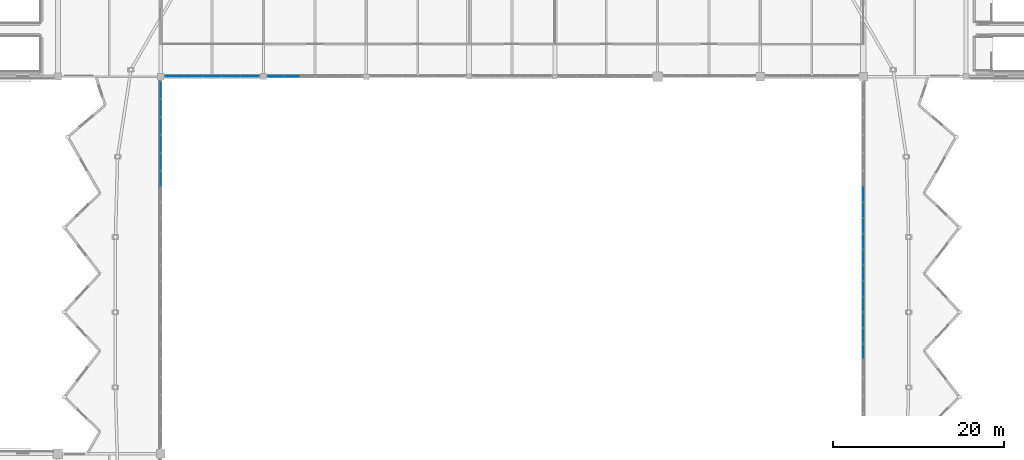
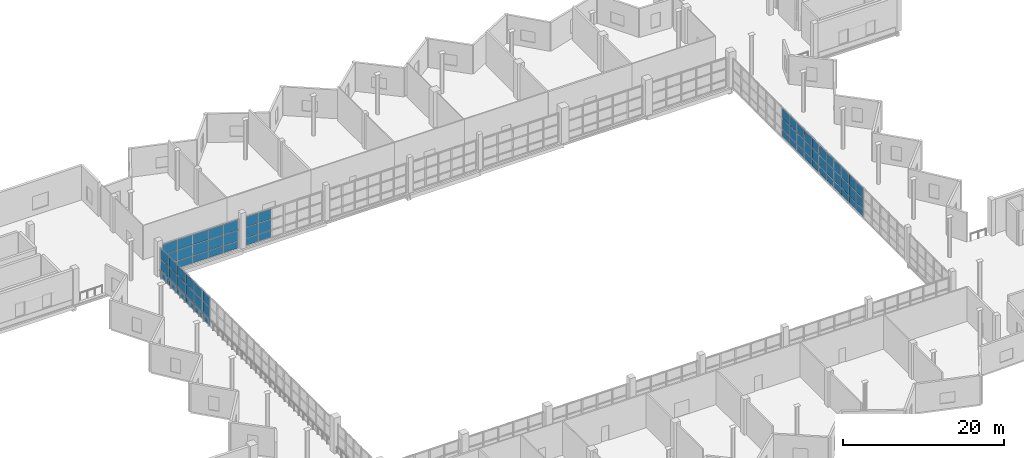
# One storey, part 33 of 49: 72 plates, 6 elements without a shape of their own.
"""IFC4 building model written with IfcOpenShell, lengths in metres."""

from ifc_helpers import new_model, si_unit, direction, frame, origin, origin_2d, place, context, subcontext, project, spatial, rectangle, extrude, material, layer, layer_set, type_object, element, aggregate, save


model = new_model("IFC4")

# Units and contexts
model_context = context("Model", 3, precision=1e-05, world=origin(), true_north=direction((0.0, 1.0)))
body_context = subcontext(model_context, "Body", "Model", "MODEL_VIEW")
ifc_project = project(units=[si_unit("LENGTHUNIT", "METRE"), si_unit("AREAUNIT", "SQUARE_METRE"), si_unit("VOLUMEUNIT", "CUBIC_METRE"), si_unit("PLANEANGLEUNIT", "RADIAN"), si_unit("MASSUNIT", "GRAM", prefix="KILO")], contexts=[model_context])

# Site, building, storey
site_placement = place(None, origin())
site = spatial("IfcSite", under=ifc_project, at=site_placement, CompositionType="ELEMENT")
building_placement = place(site_placement, origin())
building = spatial("IfcBuilding", under=site, at=building_placement, Name="Luwafu Chhajja Arena", CompositionType="ELEMENT")
storey_placement = place(building_placement, frame((0.0, 0.0, 24.300048828125)))
storey = spatial("IfcBuildingStorey", under=building, at=storey_placement, Name="L05", CompositionType="ELEMENT", Elevation=24.300048828125)

# Curtain wall, plates
ifc_material_1 = material(Name="Anodised bronze aluminium", Category="aluminium")
curtain_wall_type = type_object("IfcCurtainWallType", Name="VIP Club Terrace Curtain Wall", PredefinedType="USERDEFINED", material=ifc_material_1)
curtain_wall_1_placement = place(storey_placement, origin())
curtain_wall_1 = element("IfcCurtainWall", 1, at=curtain_wall_1_placement, inside=storey, type_object=curtain_wall_type, Name="L05 Bowl Viewing Curtain Wall CWR-L05-08", ObjectType="CURTAIN WALL", PredefinedType="USERDEFINED")
ifc_material_2 = material(Name="Solar-control laminated glass", Category="glass")
ifc_layer = layer(ifc_material_2, 0.035888671875, Name="Solar-control laminated glass")
ifc_layer_set = layer_set([ifc_layer], Name="Solar-control laminated glass")
plate_type = type_object("IfcPlateType", Name="Acoustic Broadcast Double Glazed CW Panel 36", PredefinedType="CURTAIN_PANEL", material=ifc_layer_set)
plate_1_placement = place(storey_placement, frame((59.630859375, 77.0, 0.06494140625), z_axis=(0.0, 0.0, 1.0), x_axis=(1.0, 0.0, 0.0)))
plate_1 = element("IfcPlate", 2, at=plate_1_placement, type_object=plate_type, Name="CW-10 panel 1.1", PredefinedType="CURTAIN_PANEL", context=body_context, shape_type="SweptSolid", body=[
    extrude(rectangle(XDim=2.1015625, YDim=0.035888671875, at=origin_2d()), origin(), (0.0, 0.0, 1.0), 1.052490234375),
])
plate_2_placement = place(storey_placement, frame((59.630859375, 77.0, 1.182373046875), z_axis=(0.0, 0.0, 1.0), x_axis=(1.0, 0.0, 0.0)))
plate_2 = element("IfcPlate", 3, at=plate_2_placement, type_object=plate_type, Name="CW-10 panel 1.2", PredefinedType="CURTAIN_PANEL", context=body_context, shape_type="SweptSolid", body=[
    extrude(rectangle(XDim=2.1015625, YDim=0.035888671875, at=origin_2d()), origin(), (0.0, 0.0, 1.0), 1.5849609375),
])
plate_3_placement = place(storey_placement, frame((59.630859375, 77.0, 2.83251953125), z_axis=(0.0, 0.0, 1.0), x_axis=(1.0, 0.0, 0.0)))
plate_3 = element("IfcPlate", 4, at=plate_3_placement, type_object=plate_type, Name="CW-10 panel 1.3", PredefinedType="CURTAIN_PANEL", context=body_context, shape_type="SweptSolid", body=[
    extrude(rectangle(XDim=2.1015625, YDim=0.035888671875, at=origin_2d()), origin(), (0.0, 0.0, 1.0), 1.552490234375),
])
plate_4_placement = place(storey_placement, frame((61.8134765625, 77.0, 0.06494140625), z_axis=(0.0, 0.0, 1.0), x_axis=(1.0, 0.0, 0.0)))
plate_4 = element("IfcPlate", 5, at=plate_4_placement, type_object=plate_type, Name="CW-10 panel 2.1", PredefinedType="CURTAIN_PANEL", context=body_context, shape_type="SweptSolid", body=[
    extrude(rectangle(XDim=2.134033203125, YDim=0.035888671875, at=origin_2d()), origin(), (0.0, 0.0, 1.0), 1.052490234375),
])
plate_5_placement = place(storey_placement, frame((61.8134765625, 77.0, 1.182373046875), z_axis=(0.0, 0.0, 1.0), x_axis=(1.0, 0.0, 0.0)))
plate_5 = element("IfcPlate", 6, at=plate_5_placement, type_object=plate_type, Name="CW-10 panel 2.2", PredefinedType="CURTAIN_PANEL", context=body_context, shape_type="SweptSolid", body=[
    extrude(rectangle(XDim=2.134033203125, YDim=0.035888671875, at=origin_2d()), origin(), (0.0, 0.0, 1.0), 1.5849609375),
])
plate_6_placement = place(storey_placement, frame((61.8134765625, 77.0, 2.83251953125), z_axis=(0.0, 0.0, 1.0), x_axis=(1.0, 0.0, 0.0)))
plate_6 = element("IfcPlate", 7, at=plate_6_placement, type_object=plate_type, Name="CW-10 panel 2.3", PredefinedType="CURTAIN_PANEL", context=body_context, shape_type="SweptSolid", body=[
    extrude(rectangle(XDim=2.134033203125, YDim=0.035888671875, at=origin_2d()), origin(), (0.0, 0.0, 1.0), 1.552490234375),
])
plate_7_placement = place(storey_placement, frame((64.012451171875, 77.0, 0.06494140625), z_axis=(0.0, 0.0, 1.0), x_axis=(1.0, 0.0, 0.0)))
plate_7 = element("IfcPlate", 8, at=plate_7_placement, type_object=plate_type, Name="CW-10 panel 3.1", PredefinedType="CURTAIN_PANEL", context=body_context, shape_type="SweptSolid", body=[
    extrude(rectangle(XDim=2.134033203125, YDim=0.035888671875, at=origin_2d()), origin(), (0.0, 0.0, 1.0), 1.052490234375),
])
plate_8_placement = place(storey_placement, frame((64.012451171875, 77.0, 1.182373046875), z_axis=(0.0, 0.0, 1.0), x_axis=(1.0, 0.0, 0.0)))
plate_8 = element("IfcPlate", 9, at=plate_8_placement, type_object=plate_type, Name="CW-10 panel 3.2", PredefinedType="CURTAIN_PANEL", context=body_context, shape_type="SweptSolid", body=[
    extrude(rectangle(XDim=2.134033203125, YDim=0.035888671875, at=origin_2d()), origin(), (0.0, 0.0, 1.0), 1.5849609375),
])
plate_9_placement = place(storey_placement, frame((64.012451171875, 77.0, 2.83251953125), z_axis=(0.0, 0.0, 1.0), x_axis=(1.0, 0.0, 0.0)))
plate_9 = element("IfcPlate", 10, at=plate_9_placement, type_object=plate_type, Name="CW-10 panel 3.3", PredefinedType="CURTAIN_PANEL", context=body_context, shape_type="SweptSolid", body=[
    extrude(rectangle(XDim=2.134033203125, YDim=0.035888671875, at=origin_2d()), origin(), (0.0, 0.0, 1.0), 1.552490234375),
])
plate_10_placement = place(storey_placement, frame((66.21142578125, 77.0, 0.06494140625), z_axis=(0.0, 0.0, 1.0), x_axis=(1.0, 0.0, 0.0)))
plate_10 = element("IfcPlate", 11, at=plate_10_placement, type_object=plate_type, Name="CW-10 panel 4.1", PredefinedType="CURTAIN_PANEL", context=body_context, shape_type="SweptSolid", body=[
    extrude(rectangle(XDim=2.134033203125, YDim=0.035888671875, at=origin_2d()), origin(), (0.0, 0.0, 1.0), 1.052490234375),
])
plate_11_placement = place(storey_placement, frame((66.21142578125, 77.0, 1.182373046875), z_axis=(0.0, 0.0, 1.0), x_axis=(1.0, 0.0, 0.0)))
plate_11 = element("IfcPlate", 12, at=plate_11_placement, type_object=plate_type, Name="CW-10 panel 4.2", PredefinedType="CURTAIN_PANEL", context=body_context, shape_type="SweptSolid", body=[
    extrude(rectangle(XDim=2.134033203125, YDim=0.035888671875, at=origin_2d()), origin(), (0.0, 0.0, 1.0), 1.5849609375),
])
plate_12_placement = place(storey_placement, frame((66.21142578125, 77.0, 2.83251953125), z_axis=(0.0, 0.0, 1.0), x_axis=(1.0, 0.0, 0.0)))
plate_12 = element("IfcPlate", 13, at=plate_12_placement, type_object=plate_type, Name="CW-10 panel 4.3", PredefinedType="CURTAIN_PANEL", context=body_context, shape_type="SweptSolid", body=[
    extrude(rectangle(XDim=2.134033203125, YDim=0.035888671875, at=origin_2d()), origin(), (0.0, 0.0, 1.0), 1.552490234375),
])
plate_13_placement = place(storey_placement, frame((68.394287109375, 77.0, 0.06494140625), z_axis=(0.0, 0.0, 1.0), x_axis=(1.0, 0.0, 0.0)))
plate_13 = element("IfcPlate", 14, at=plate_13_placement, type_object=plate_type, Name="CW-10 panel 5.1", PredefinedType="CURTAIN_PANEL", context=body_context, shape_type="SweptSolid", body=[
    extrude(rectangle(XDim=2.1015625, YDim=0.035888671875, at=origin_2d()), origin(), (0.0, 0.0, 1.0), 1.052490234375),
])
plate_14_placement = place(storey_placement, frame((68.394287109375, 77.0, 1.182373046875), z_axis=(0.0, 0.0, 1.0), x_axis=(1.0, 0.0, 0.0)))
plate_14 = element("IfcPlate", 15, at=plate_14_placement, type_object=plate_type, Name="CW-10 panel 5.2", PredefinedType="CURTAIN_PANEL", context=body_context, shape_type="SweptSolid", body=[
    extrude(rectangle(XDim=2.1015625, YDim=0.035888671875, at=origin_2d()), origin(), (0.0, 0.0, 1.0), 1.5849609375),
])
plate_15_placement = place(storey_placement, frame((68.394287109375, 77.0, 2.83251953125), z_axis=(0.0, 0.0, 1.0), x_axis=(1.0, 0.0, 0.0)))
plate_15 = element("IfcPlate", 16, at=plate_15_placement, type_object=plate_type, Name="CW-10 panel 5.3", PredefinedType="CURTAIN_PANEL", context=body_context, shape_type="SweptSolid", body=[
    extrude(rectangle(XDim=2.1015625, YDim=0.035888671875, at=origin_2d()), origin(), (0.0, 0.0, 1.0), 1.552490234375),
])
aggregate(curtain_wall_1, [plate_1, plate_2, plate_3, plate_4, plate_5, plate_6, plate_7, plate_8, plate_9, plate_10, plate_11, plate_12, plate_13, plate_14, plate_15])

curtain_wall_2_placement = place(storey_placement, origin())
curtain_wall_2 = element("IfcCurtainWall", 17, at=curtain_wall_2_placement, inside=storey, type_object=curtain_wall_type, Name="L05 Bowl Viewing Curtain Wall CWR-L05-09", ObjectType="CURTAIN WALL", PredefinedType="USERDEFINED")
plate_16_placement = place(storey_placement, frame((71.4267578125, 77.0, 0.06494140625), z_axis=(0.0, 0.0, 1.0), x_axis=(1.0, 0.0, 0.0)))
plate_16 = element("IfcPlate", 18, at=plate_16_placement, type_object=plate_type, Name="CW-10 panel 1.1", PredefinedType="CURTAIN_PANEL", context=body_context, shape_type="SweptSolid", body=[
    extrude(rectangle(XDim=1.743408203125, YDim=0.035888671875, at=origin_2d()), origin(), (0.0, 0.0, 1.0), 1.052490234375),
])
plate_17_placement = place(storey_placement, frame((71.4267578125, 77.0, 1.182373046875), z_axis=(0.0, 0.0, 1.0), x_axis=(1.0, 0.0, 0.0)))
plate_17 = element("IfcPlate", 19, at=plate_17_placement, type_object=plate_type, Name="CW-10 panel 1.2", PredefinedType="CURTAIN_PANEL", context=body_context, shape_type="SweptSolid", body=[
    extrude(rectangle(XDim=1.743408203125, YDim=0.035888671875, at=origin_2d()), origin(), (0.0, 0.0, 1.0), 1.5849609375),
])
plate_18_placement = place(storey_placement, frame((71.4267578125, 77.0, 2.83251953125), z_axis=(0.0, 0.0, 1.0), x_axis=(1.0, 0.0, 0.0)))
plate_18 = element("IfcPlate", 20, at=plate_18_placement, type_object=plate_type, Name="CW-10 panel 1.3", PredefinedType="CURTAIN_PANEL", context=body_context, shape_type="SweptSolid", body=[
    extrude(rectangle(XDim=1.743408203125, YDim=0.035888671875, at=origin_2d()), origin(), (0.0, 0.0, 1.0), 1.552490234375),
])
plate_19_placement = place(storey_placement, frame((73.251220703125, 77.0, 0.06494140625), z_axis=(0.0, 0.0, 1.0), x_axis=(1.0, 0.0, 0.0)))
plate_19 = element("IfcPlate", 21, at=plate_19_placement, type_object=plate_type, Name="CW-10 panel 2.1", PredefinedType="CURTAIN_PANEL", context=body_context, shape_type="SweptSolid", body=[
    extrude(rectangle(XDim=1.77587890625, YDim=0.035888671875, at=origin_2d()), origin(), (0.0, 0.0, 1.0), 1.052490234375),
])
plate_20_placement = place(storey_placement, frame((73.251220703125, 77.0, 1.182373046875), z_axis=(0.0, 0.0, 1.0), x_axis=(1.0, 0.0, 0.0)))
plate_20 = element("IfcPlate", 22, at=plate_20_placement, type_object=plate_type, Name="CW-10 panel 2.2", PredefinedType="CURTAIN_PANEL", context=body_context, shape_type="SweptSolid", body=[
    extrude(rectangle(XDim=1.77587890625, YDim=0.035888671875, at=origin_2d()), origin(), (0.0, 0.0, 1.0), 1.5849609375),
])
plate_21_placement = place(storey_placement, frame((73.251220703125, 77.0, 2.83251953125), z_axis=(0.0, 0.0, 1.0), x_axis=(1.0, 0.0, 0.0)))
plate_21 = element("IfcPlate", 23, at=plate_21_placement, type_object=plate_type, Name="CW-10 panel 2.3", PredefinedType="CURTAIN_PANEL", context=body_context, shape_type="SweptSolid", body=[
    extrude(rectangle(XDim=1.77587890625, YDim=0.035888671875, at=origin_2d()), origin(), (0.0, 0.0, 1.0), 1.552490234375),
])
aggregate(curtain_wall_2, [plate_16, plate_17, plate_18, plate_19, plate_20, plate_21])

curtain_wall_3_placement = place(storey_placement, origin())
curtain_wall_3 = element("IfcCurtainWall", 24, at=curtain_wall_3_placement, inside=storey, type_object=curtain_wall_type, Name="L05 Bowl Viewing Curtain Wall CWR-L05-18", ObjectType="CURTAIN WALL", PredefinedType="USERDEFINED")
plate_22_placement = place(storey_placement, frame((58.0, 65.067138671875, 0.06494140625), z_axis=(0.0, 0.0, 1.0), x_axis=(0.0, 1.0, 0.0)))
plate_22 = element("IfcPlate", 25, at=plate_22_placement, type_object=plate_type, Name="CW-10 panel 6.1", PredefinedType="CURTAIN_PANEL", context=body_context, shape_type="SweptSolid", body=[
    extrude(rectangle(XDim=1.73583984375, YDim=0.035888671875, at=origin_2d()), origin(), (0.0, 0.0, 1.0), 1.052490234375),
])
plate_23_placement = place(storey_placement, frame((58.0, 65.067138671875, 1.182373046875), z_axis=(0.0, 0.0, 1.0), x_axis=(0.0, 1.0, 0.0)))
plate_23 = element("IfcPlate", 26, at=plate_23_placement, type_object=plate_type, Name="CW-10 panel 6.2", PredefinedType="CURTAIN_PANEL", context=body_context, shape_type="SweptSolid", body=[
    extrude(rectangle(XDim=1.73583984375, YDim=0.035888671875, at=origin_2d()), origin(), (0.0, 0.0, 1.0), 1.5849609375),
])
plate_24_placement = place(storey_placement, frame((58.0, 65.067138671875, 2.83251953125), z_axis=(0.0, 0.0, 1.0), x_axis=(0.0, 1.0, 0.0)))
plate_24 = element("IfcPlate", 27, at=plate_24_placement, type_object=plate_type, Name="CW-10 panel 6.3", PredefinedType="CURTAIN_PANEL", context=body_context, shape_type="SweptSolid", body=[
    extrude(rectangle(XDim=1.73583984375, YDim=0.035888671875, at=origin_2d()), origin(), (0.0, 0.0, 1.0), 1.552490234375),
])
aggregate(curtain_wall_3, [plate_22, plate_23, plate_24])

curtain_wall_4_placement = place(storey_placement, origin())
curtain_wall_4 = element("IfcCurtainWall", 28, at=curtain_wall_4_placement, inside=storey, type_object=curtain_wall_type, Name="L05 Bowl Viewing Curtain Wall CWR-L05-19", ObjectType="CURTAIN WALL", PredefinedType="USERDEFINED")
plate_25_placement = place(storey_placement, frame((58.0, 67.064697265625, 0.06494140625), z_axis=(0.0, 0.0, 1.0), x_axis=(0.0, 1.0, 0.0)))
plate_25 = element("IfcPlate", 29, at=plate_25_placement, type_object=plate_type, Name="CW-10 panel 1.1", PredefinedType="CURTAIN_PANEL", context=body_context, shape_type="SweptSolid", body=[
    extrude(rectangle(XDim=1.99951171875, YDim=0.035888671875, at=origin_2d()), origin(), (0.0, 0.0, 1.0), 1.052490234375),
])
plate_26_placement = place(storey_placement, frame((58.0, 67.064697265625, 1.182373046875), z_axis=(0.0, 0.0, 1.0), x_axis=(0.0, 1.0, 0.0)))
plate_26 = element("IfcPlate", 30, at=plate_26_placement, type_object=plate_type, Name="CW-10 panel 1.2", PredefinedType="CURTAIN_PANEL", context=body_context, shape_type="SweptSolid", body=[
    extrude(rectangle(XDim=1.99951171875, YDim=0.035888671875, at=origin_2d()), origin(), (0.0, 0.0, 1.0), 1.5849609375),
])
plate_27_placement = place(storey_placement, frame((58.0, 67.064697265625, 2.83251953125), z_axis=(0.0, 0.0, 1.0), x_axis=(0.0, 1.0, 0.0)))
plate_27 = element("IfcPlate", 31, at=plate_27_placement, type_object=plate_type, Name="CW-10 panel 1.3", PredefinedType="CURTAIN_PANEL", context=body_context, shape_type="SweptSolid", body=[
    extrude(rectangle(XDim=1.99951171875, YDim=0.035888671875, at=origin_2d()), origin(), (0.0, 0.0, 1.0), 1.552490234375),
])
plate_28_placement = place(storey_placement, frame((58.0, 69.1455078125, 0.06494140625), z_axis=(0.0, 0.0, 1.0), x_axis=(0.0, 1.0, 0.0)))
plate_28 = element("IfcPlate", 32, at=plate_28_placement, type_object=plate_type, Name="CW-10 panel 2.1", PredefinedType="CURTAIN_PANEL", context=body_context, shape_type="SweptSolid", body=[
    extrude(rectangle(XDim=2.031982421875, YDim=0.035888671875, at=origin_2d()), origin(), (0.0, 0.0, 1.0), 1.052490234375),
])
plate_29_placement = place(storey_placement, frame((58.0, 69.1455078125, 1.182373046875), z_axis=(0.0, 0.0, 1.0), x_axis=(0.0, 1.0, 0.0)))
plate_29 = element("IfcPlate", 33, at=plate_29_placement, type_object=plate_type, Name="CW-10 panel 2.2", PredefinedType="CURTAIN_PANEL", context=body_context, shape_type="SweptSolid", body=[
    extrude(rectangle(XDim=2.031982421875, YDim=0.035888671875, at=origin_2d()), origin(), (0.0, 0.0, 1.0), 1.5849609375),
])
plate_30_placement = place(storey_placement, frame((58.0, 69.1455078125, 2.83251953125), z_axis=(0.0, 0.0, 1.0), x_axis=(0.0, 1.0, 0.0)))
plate_30 = element("IfcPlate", 34, at=plate_30_placement, type_object=plate_type, Name="CW-10 panel 2.3", PredefinedType="CURTAIN_PANEL", context=body_context, shape_type="SweptSolid", body=[
    extrude(rectangle(XDim=2.031982421875, YDim=0.035888671875, at=origin_2d()), origin(), (0.0, 0.0, 1.0), 1.552490234375),
])
plate_31_placement = place(storey_placement, frame((58.0, 71.242431640625, 0.06494140625), z_axis=(0.0, 0.0, 1.0), x_axis=(0.0, 1.0, 0.0)))
plate_31 = element("IfcPlate", 35, at=plate_31_placement, type_object=plate_type, Name="CW-10 panel 3.1", PredefinedType="CURTAIN_PANEL", context=body_context, shape_type="SweptSolid", body=[
    extrude(rectangle(XDim=2.031982421875, YDim=0.035888671875, at=origin_2d()), origin(), (0.0, 0.0, 1.0), 1.052490234375),
])
plate_32_placement = place(storey_placement, frame((58.0, 71.242431640625, 1.182373046875), z_axis=(0.0, 0.0, 1.0), x_axis=(0.0, 1.0, 0.0)))
plate_32 = element("IfcPlate", 36, at=plate_32_placement, type_object=plate_type, Name="CW-10 panel 3.2", PredefinedType="CURTAIN_PANEL", context=body_context, shape_type="SweptSolid", body=[
    extrude(rectangle(XDim=2.031982421875, YDim=0.035888671875, at=origin_2d()), origin(), (0.0, 0.0, 1.0), 1.5849609375),
])
plate_33_placement = place(storey_placement, frame((58.0, 71.242431640625, 2.83251953125), z_axis=(0.0, 0.0, 1.0), x_axis=(0.0, 1.0, 0.0)))
plate_33 = element("IfcPlate", 37, at=plate_33_placement, type_object=plate_type, Name="CW-10 panel 3.3", PredefinedType="CURTAIN_PANEL", context=body_context, shape_type="SweptSolid", body=[
    extrude(rectangle(XDim=2.031982421875, YDim=0.035888671875, at=origin_2d()), origin(), (0.0, 0.0, 1.0), 1.552490234375),
])
plate_34_placement = place(storey_placement, frame((58.0, 73.339599609375, 0.06494140625), z_axis=(0.0, 0.0, 1.0), x_axis=(0.0, 1.0, 0.0)))
plate_34 = element("IfcPlate", 38, at=plate_34_placement, type_object=plate_type, Name="CW-10 panel 4.1", PredefinedType="CURTAIN_PANEL", context=body_context, shape_type="SweptSolid", body=[
    extrude(rectangle(XDim=2.031982421875, YDim=0.035888671875, at=origin_2d()), origin(), (0.0, 0.0, 1.0), 1.052490234375),
])
plate_35_placement = place(storey_placement, frame((58.0, 73.339599609375, 1.182373046875), z_axis=(0.0, 0.0, 1.0), x_axis=(0.0, 1.0, 0.0)))
plate_35 = element("IfcPlate", 39, at=plate_35_placement, type_object=plate_type, Name="CW-10 panel 4.2", PredefinedType="CURTAIN_PANEL", context=body_context, shape_type="SweptSolid", body=[
    extrude(rectangle(XDim=2.031982421875, YDim=0.035888671875, at=origin_2d()), origin(), (0.0, 0.0, 1.0), 1.5849609375),
])
plate_36_placement = place(storey_placement, frame((58.0, 73.339599609375, 2.83251953125), z_axis=(0.0, 0.0, 1.0), x_axis=(0.0, 1.0, 0.0)))
plate_36 = element("IfcPlate", 40, at=plate_36_placement, type_object=plate_type, Name="CW-10 panel 4.3", PredefinedType="CURTAIN_PANEL", context=body_context, shape_type="SweptSolid", body=[
    extrude(rectangle(XDim=2.031982421875, YDim=0.035888671875, at=origin_2d()), origin(), (0.0, 0.0, 1.0), 1.552490234375),
])
plate_37_placement = place(storey_placement, frame((58.0, 75.420166015625, 0.06494140625), z_axis=(0.0, 0.0, 1.0), x_axis=(0.0, 1.0, 0.0)))
plate_37 = element("IfcPlate", 41, at=plate_37_placement, type_object=plate_type, Name="CW-10 panel 5.1", PredefinedType="CURTAIN_PANEL", context=body_context, shape_type="SweptSolid", body=[
    extrude(rectangle(XDim=1.99951171875, YDim=0.035888671875, at=origin_2d()), origin(), (0.0, 0.0, 1.0), 1.052490234375),
])
plate_38_placement = place(storey_placement, frame((58.0, 75.420166015625, 1.182373046875), z_axis=(0.0, 0.0, 1.0), x_axis=(0.0, 1.0, 0.0)))
plate_38 = element("IfcPlate", 42, at=plate_38_placement, type_object=plate_type, Name="CW-10 panel 5.2", PredefinedType="CURTAIN_PANEL", context=body_context, shape_type="SweptSolid", body=[
    extrude(rectangle(XDim=1.99951171875, YDim=0.035888671875, at=origin_2d()), origin(), (0.0, 0.0, 1.0), 1.5849609375),
])
plate_39_placement = place(storey_placement, frame((58.0, 75.420166015625, 2.83251953125), z_axis=(0.0, 0.0, 1.0), x_axis=(0.0, 1.0, 0.0)))
plate_39 = element("IfcPlate", 43, at=plate_39_placement, type_object=plate_type, Name="CW-10 panel 5.3", PredefinedType="CURTAIN_PANEL", context=body_context, shape_type="SweptSolid", body=[
    extrude(rectangle(XDim=1.99951171875, YDim=0.035888671875, at=origin_2d()), origin(), (0.0, 0.0, 1.0), 1.552490234375),
])
aggregate(curtain_wall_4, [plate_25, plate_26, plate_27, plate_28, plate_29, plate_30, plate_31, plate_32, plate_33, plate_34, plate_35, plate_36, plate_37, plate_38, plate_39])

curtain_wall_5_placement = place(storey_placement, origin())
curtain_wall_5 = element("IfcCurtainWall", 44, at=curtain_wall_5_placement, inside=storey, type_object=curtain_wall_type, Name="L05 Bowl Viewing Curtain Wall CWR-L05-22", ObjectType="CURTAIN WALL", PredefinedType="USERDEFINED")
plate_40_placement = place(storey_placement, frame((140.0, 44.932861328125, 0.06494140625), z_axis=(0.0, 0.0, 1.0), x_axis=(0.0, 1.0, 0.0)))
plate_40 = element("IfcPlate", 45, at=plate_40_placement, type_object=plate_type, Name="CW-10 panel 1.1", PredefinedType="CURTAIN_PANEL", context=body_context, shape_type="SweptSolid", body=[
    extrude(rectangle(XDim=1.73583984375, YDim=0.035888671875, at=origin_2d()), origin(), (0.0, 0.0, 1.0), 1.052490234375),
])
plate_41_placement = place(storey_placement, frame((140.0, 44.932861328125, 1.182373046875), z_axis=(0.0, 0.0, 1.0), x_axis=(0.0, 1.0, 0.0)))
plate_41 = element("IfcPlate", 46, at=plate_41_placement, type_object=plate_type, Name="CW-10 panel 1.2", PredefinedType="CURTAIN_PANEL", context=body_context, shape_type="SweptSolid", body=[
    extrude(rectangle(XDim=1.73583984375, YDim=0.035888671875, at=origin_2d()), origin(), (0.0, 0.0, 1.0), 1.5849609375),
])
plate_42_placement = place(storey_placement, frame((140.0, 44.932861328125, 2.83251953125), z_axis=(0.0, 0.0, 1.0), x_axis=(0.0, 1.0, 0.0)))
plate_42 = element("IfcPlate", 47, at=plate_42_placement, type_object=plate_type, Name="CW-10 panel 1.3", PredefinedType="CURTAIN_PANEL", context=body_context, shape_type="SweptSolid", body=[
    extrude(rectangle(XDim=1.73583984375, YDim=0.035888671875, at=origin_2d()), origin(), (0.0, 0.0, 1.0), 1.552490234375),
])
plate_43_placement = place(storey_placement, frame((140.0, 46.75, 0.06494140625), z_axis=(0.0, 0.0, 1.0), x_axis=(0.0, 1.0, 0.0)))
plate_43 = element("IfcPlate", 48, at=plate_43_placement, type_object=plate_type, Name="CW-10 panel 2.1", PredefinedType="CURTAIN_PANEL", context=body_context, shape_type="SweptSolid", body=[
    extrude(rectangle(XDim=1.768310546875, YDim=0.035888671875, at=origin_2d()), origin(), (0.0, 0.0, 1.0), 1.052490234375),
])
plate_44_placement = place(storey_placement, frame((140.0, 46.75, 1.182373046875), z_axis=(0.0, 0.0, 1.0), x_axis=(0.0, 1.0, 0.0)))
plate_44 = element("IfcPlate", 49, at=plate_44_placement, type_object=plate_type, Name="CW-10 panel 2.2", PredefinedType="CURTAIN_PANEL", context=body_context, shape_type="SweptSolid", body=[
    extrude(rectangle(XDim=1.768310546875, YDim=0.035888671875, at=origin_2d()), origin(), (0.0, 0.0, 1.0), 1.5849609375),
])
plate_45_placement = place(storey_placement, frame((140.0, 46.75, 2.83251953125), z_axis=(0.0, 0.0, 1.0), x_axis=(0.0, 1.0, 0.0)))
plate_45 = element("IfcPlate", 50, at=plate_45_placement, type_object=plate_type, Name="CW-10 panel 2.3", PredefinedType="CURTAIN_PANEL", context=body_context, shape_type="SweptSolid", body=[
    extrude(rectangle(XDim=1.768310546875, YDim=0.035888671875, at=origin_2d()), origin(), (0.0, 0.0, 1.0), 1.552490234375),
])
plate_46_placement = place(storey_placement, frame((140.0, 48.583251953125, 0.06494140625), z_axis=(0.0, 0.0, 1.0), x_axis=(0.0, 1.0, 0.0)))
plate_46 = element("IfcPlate", 51, at=plate_46_placement, type_object=plate_type, Name="CW-10 panel 3.1", PredefinedType="CURTAIN_PANEL", context=body_context, shape_type="SweptSolid", body=[
    extrude(rectangle(XDim=1.768310546875, YDim=0.035888671875, at=origin_2d()), origin(), (0.0, 0.0, 1.0), 1.052490234375),
])
plate_47_placement = place(storey_placement, frame((140.0, 48.583251953125, 1.182373046875), z_axis=(0.0, 0.0, 1.0), x_axis=(0.0, 1.0, 0.0)))
plate_47 = element("IfcPlate", 52, at=plate_47_placement, type_object=plate_type, Name="CW-10 panel 3.2", PredefinedType="CURTAIN_PANEL", context=body_context, shape_type="SweptSolid", body=[
    extrude(rectangle(XDim=1.768310546875, YDim=0.035888671875, at=origin_2d()), origin(), (0.0, 0.0, 1.0), 1.5849609375),
])
plate_48_placement = place(storey_placement, frame((140.0, 48.583251953125, 2.83251953125), z_axis=(0.0, 0.0, 1.0), x_axis=(0.0, 1.0, 0.0)))
plate_48 = element("IfcPlate", 53, at=plate_48_placement, type_object=plate_type, Name="CW-10 panel 3.3", PredefinedType="CURTAIN_PANEL", context=body_context, shape_type="SweptSolid", body=[
    extrude(rectangle(XDim=1.768310546875, YDim=0.035888671875, at=origin_2d()), origin(), (0.0, 0.0, 1.0), 1.552490234375),
])
plate_49_placement = place(storey_placement, frame((140.0, 50.416748046875, 0.06494140625), z_axis=(0.0, 0.0, 1.0), x_axis=(0.0, 1.0, 0.0)))
plate_49 = element("IfcPlate", 54, at=plate_49_placement, type_object=plate_type, Name="CW-10 panel 4.1", PredefinedType="CURTAIN_PANEL", context=body_context, shape_type="SweptSolid", body=[
    extrude(rectangle(XDim=1.768310546875, YDim=0.035888671875, at=origin_2d()), origin(), (0.0, 0.0, 1.0), 1.052490234375),
])
plate_50_placement = place(storey_placement, frame((140.0, 50.416748046875, 1.182373046875), z_axis=(0.0, 0.0, 1.0), x_axis=(0.0, 1.0, 0.0)))
plate_50 = element("IfcPlate", 55, at=plate_50_placement, type_object=plate_type, Name="CW-10 panel 4.2", PredefinedType="CURTAIN_PANEL", context=body_context, shape_type="SweptSolid", body=[
    extrude(rectangle(XDim=1.768310546875, YDim=0.035888671875, at=origin_2d()), origin(), (0.0, 0.0, 1.0), 1.5849609375),
])
plate_51_placement = place(storey_placement, frame((140.0, 50.416748046875, 2.83251953125), z_axis=(0.0, 0.0, 1.0), x_axis=(0.0, 1.0, 0.0)))
plate_51 = element("IfcPlate", 56, at=plate_51_placement, type_object=plate_type, Name="CW-10 panel 4.3", PredefinedType="CURTAIN_PANEL", context=body_context, shape_type="SweptSolid", body=[
    extrude(rectangle(XDim=1.768310546875, YDim=0.035888671875, at=origin_2d()), origin(), (0.0, 0.0, 1.0), 1.552490234375),
])
plate_52_placement = place(storey_placement, frame((140.0, 52.25, 0.06494140625), z_axis=(0.0, 0.0, 1.0), x_axis=(0.0, 1.0, 0.0)))
plate_52 = element("IfcPlate", 57, at=plate_52_placement, type_object=plate_type, Name="CW-10 panel 5.1", PredefinedType="CURTAIN_PANEL", context=body_context, shape_type="SweptSolid", body=[
    extrude(rectangle(XDim=1.768310546875, YDim=0.035888671875, at=origin_2d()), origin(), (0.0, 0.0, 1.0), 1.052490234375),
])
plate_53_placement = place(storey_placement, frame((140.0, 52.25, 1.182373046875), z_axis=(0.0, 0.0, 1.0), x_axis=(0.0, 1.0, 0.0)))
plate_53 = element("IfcPlate", 58, at=plate_53_placement, type_object=plate_type, Name="CW-10 panel 5.2", PredefinedType="CURTAIN_PANEL", context=body_context, shape_type="SweptSolid", body=[
    extrude(rectangle(XDim=1.768310546875, YDim=0.035888671875, at=origin_2d()), origin(), (0.0, 0.0, 1.0), 1.5849609375),
])
plate_54_placement = place(storey_placement, frame((140.0, 52.25, 2.83251953125), z_axis=(0.0, 0.0, 1.0), x_axis=(0.0, 1.0, 0.0)))
plate_54 = element("IfcPlate", 59, at=plate_54_placement, type_object=plate_type, Name="CW-10 panel 5.3", PredefinedType="CURTAIN_PANEL", context=body_context, shape_type="SweptSolid", body=[
    extrude(rectangle(XDim=1.768310546875, YDim=0.035888671875, at=origin_2d()), origin(), (0.0, 0.0, 1.0), 1.552490234375),
])
plate_55_placement = place(storey_placement, frame((140.0, 54.067138671875, 0.06494140625), z_axis=(0.0, 0.0, 1.0), x_axis=(0.0, 1.0, 0.0)))
plate_55 = element("IfcPlate", 60, at=plate_55_placement, type_object=plate_type, Name="CW-10 panel 6.1", PredefinedType="CURTAIN_PANEL", context=body_context, shape_type="SweptSolid", body=[
    extrude(rectangle(XDim=1.73583984375, YDim=0.035888671875, at=origin_2d()), origin(), (0.0, 0.0, 1.0), 1.052490234375),
])
plate_56_placement = place(storey_placement, frame((140.0, 54.067138671875, 1.182373046875), z_axis=(0.0, 0.0, 1.0), x_axis=(0.0, 1.0, 0.0)))
plate_56 = element("IfcPlate", 61, at=plate_56_placement, type_object=plate_type, Name="CW-10 panel 6.2", PredefinedType="CURTAIN_PANEL", context=body_context, shape_type="SweptSolid", body=[
    extrude(rectangle(XDim=1.73583984375, YDim=0.035888671875, at=origin_2d()), origin(), (0.0, 0.0, 1.0), 1.5849609375),
])
plate_57_placement = place(storey_placement, frame((140.0, 54.067138671875, 2.83251953125), z_axis=(0.0, 0.0, 1.0), x_axis=(0.0, 1.0, 0.0)))
plate_57 = element("IfcPlate", 62, at=plate_57_placement, type_object=plate_type, Name="CW-10 panel 6.3", PredefinedType="CURTAIN_PANEL", context=body_context, shape_type="SweptSolid", body=[
    extrude(rectangle(XDim=1.73583984375, YDim=0.035888671875, at=origin_2d()), origin(), (0.0, 0.0, 1.0), 1.552490234375),
])
aggregate(curtain_wall_5, [plate_40, plate_41, plate_42, plate_43, plate_44, plate_45, plate_46, plate_47, plate_48, plate_49, plate_50, plate_51, plate_52, plate_53, plate_54, plate_55, plate_56, plate_57])

curtain_wall_6_placement = place(storey_placement, origin())
curtain_wall_6 = element("IfcCurtainWall", 63, at=curtain_wall_6_placement, inside=storey, type_object=curtain_wall_type, Name="L05 Bowl Viewing Curtain Wall CWR-L05-23", ObjectType="CURTAIN WALL", PredefinedType="USERDEFINED")
plate_58_placement = place(storey_placement, frame((140.0, 55.932861328125, 0.06494140625), z_axis=(0.0, 0.0, 1.0), x_axis=(0.0, 1.0, 0.0)))
plate_58 = element("IfcPlate", 64, at=plate_58_placement, type_object=plate_type, Name="CW-10 panel 1.1", PredefinedType="CURTAIN_PANEL", context=body_context, shape_type="SweptSolid", body=[
    extrude(rectangle(XDim=1.73583984375, YDim=0.035888671875, at=origin_2d()), origin(), (0.0, 0.0, 1.0), 1.052490234375),
])
plate_59_placement = place(storey_placement, frame((140.0, 55.932861328125, 1.182373046875), z_axis=(0.0, 0.0, 1.0), x_axis=(0.0, 1.0, 0.0)))
plate_59 = element("IfcPlate", 65, at=plate_59_placement, type_object=plate_type, Name="CW-10 panel 1.2", PredefinedType="CURTAIN_PANEL", context=body_context, shape_type="SweptSolid", body=[
    extrude(rectangle(XDim=1.73583984375, YDim=0.035888671875, at=origin_2d()), origin(), (0.0, 0.0, 1.0), 1.5849609375),
])
plate_60_placement = place(storey_placement, frame((140.0, 55.932861328125, 2.83251953125), z_axis=(0.0, 0.0, 1.0), x_axis=(0.0, 1.0, 0.0)))
plate_60 = element("IfcPlate", 66, at=plate_60_placement, type_object=plate_type, Name="CW-10 panel 1.3", PredefinedType="CURTAIN_PANEL", context=body_context, shape_type="SweptSolid", body=[
    extrude(rectangle(XDim=1.73583984375, YDim=0.035888671875, at=origin_2d()), origin(), (0.0, 0.0, 1.0), 1.552490234375),
])
plate_61_placement = place(storey_placement, frame((140.0, 57.75, 0.06494140625), z_axis=(0.0, 0.0, 1.0), x_axis=(0.0, 1.0, 0.0)))
plate_61 = element("IfcPlate", 67, at=plate_61_placement, type_object=plate_type, Name="CW-10 panel 2.1", PredefinedType="CURTAIN_PANEL", context=body_context, shape_type="SweptSolid", body=[
    extrude(rectangle(XDim=1.768310546875, YDim=0.035888671875, at=origin_2d()), origin(), (0.0, 0.0, 1.0), 1.052490234375),
])
plate_62_placement = place(storey_placement, frame((140.0, 57.75, 1.182373046875), z_axis=(0.0, 0.0, 1.0), x_axis=(0.0, 1.0, 0.0)))
plate_62 = element("IfcPlate", 68, at=plate_62_placement, type_object=plate_type, Name="CW-10 panel 2.2", PredefinedType="CURTAIN_PANEL", context=body_context, shape_type="SweptSolid", body=[
    extrude(rectangle(XDim=1.768310546875, YDim=0.035888671875, at=origin_2d()), origin(), (0.0, 0.0, 1.0), 1.5849609375),
])
plate_63_placement = place(storey_placement, frame((140.0, 57.75, 2.83251953125), z_axis=(0.0, 0.0, 1.0), x_axis=(0.0, 1.0, 0.0)))
plate_63 = element("IfcPlate", 69, at=plate_63_placement, type_object=plate_type, Name="CW-10 panel 2.3", PredefinedType="CURTAIN_PANEL", context=body_context, shape_type="SweptSolid", body=[
    extrude(rectangle(XDim=1.768310546875, YDim=0.035888671875, at=origin_2d()), origin(), (0.0, 0.0, 1.0), 1.552490234375),
])
plate_64_placement = place(storey_placement, frame((140.0, 59.583251953125, 0.06494140625), z_axis=(0.0, 0.0, 1.0), x_axis=(0.0, 1.0, 0.0)))
plate_64 = element("IfcPlate", 70, at=plate_64_placement, type_object=plate_type, Name="CW-10 panel 3.1", PredefinedType="CURTAIN_PANEL", context=body_context, shape_type="SweptSolid", body=[
    extrude(rectangle(XDim=1.768310546875, YDim=0.035888671875, at=origin_2d()), origin(), (0.0, 0.0, 1.0), 1.052490234375),
])
plate_65_placement = place(storey_placement, frame((140.0, 59.583251953125, 1.182373046875), z_axis=(0.0, 0.0, 1.0), x_axis=(0.0, 1.0, 0.0)))
plate_65 = element("IfcPlate", 71, at=plate_65_placement, type_object=plate_type, Name="CW-10 panel 3.2", PredefinedType="CURTAIN_PANEL", context=body_context, shape_type="SweptSolid", body=[
    extrude(rectangle(XDim=1.768310546875, YDim=0.035888671875, at=origin_2d()), origin(), (0.0, 0.0, 1.0), 1.5849609375),
])
plate_66_placement = place(storey_placement, frame((140.0, 59.583251953125, 2.83251953125), z_axis=(0.0, 0.0, 1.0), x_axis=(0.0, 1.0, 0.0)))
plate_66 = element("IfcPlate", 72, at=plate_66_placement, type_object=plate_type, Name="CW-10 panel 3.3", PredefinedType="CURTAIN_PANEL", context=body_context, shape_type="SweptSolid", body=[
    extrude(rectangle(XDim=1.768310546875, YDim=0.035888671875, at=origin_2d()), origin(), (0.0, 0.0, 1.0), 1.552490234375),
])
plate_67_placement = place(storey_placement, frame((140.0, 61.416748046875, 0.06494140625), z_axis=(0.0, 0.0, 1.0), x_axis=(0.0, 1.0, 0.0)))
plate_67 = element("IfcPlate", 73, at=plate_67_placement, type_object=plate_type, Name="CW-10 panel 4.1", PredefinedType="CURTAIN_PANEL", context=body_context, shape_type="SweptSolid", body=[
    extrude(rectangle(XDim=1.768310546875, YDim=0.035888671875, at=origin_2d()), origin(), (0.0, 0.0, 1.0), 1.052490234375),
])
plate_68_placement = place(storey_placement, frame((140.0, 61.416748046875, 1.182373046875), z_axis=(0.0, 0.0, 1.0), x_axis=(0.0, 1.0, 0.0)))
plate_68 = element("IfcPlate", 74, at=plate_68_placement, type_object=plate_type, Name="CW-10 panel 4.2", PredefinedType="CURTAIN_PANEL", context=body_context, shape_type="SweptSolid", body=[
    extrude(rectangle(XDim=1.768310546875, YDim=0.035888671875, at=origin_2d()), origin(), (0.0, 0.0, 1.0), 1.5849609375),
])
plate_69_placement = place(storey_placement, frame((140.0, 61.416748046875, 2.83251953125), z_axis=(0.0, 0.0, 1.0), x_axis=(0.0, 1.0, 0.0)))
plate_69 = element("IfcPlate", 75, at=plate_69_placement, type_object=plate_type, Name="CW-10 panel 4.3", PredefinedType="CURTAIN_PANEL", context=body_context, shape_type="SweptSolid", body=[
    extrude(rectangle(XDim=1.768310546875, YDim=0.035888671875, at=origin_2d()), origin(), (0.0, 0.0, 1.0), 1.552490234375),
])
plate_70_placement = place(storey_placement, frame((140.0, 63.25, 0.06494140625), z_axis=(0.0, 0.0, 1.0), x_axis=(0.0, 1.0, 0.0)))
plate_70 = element("IfcPlate", 76, at=plate_70_placement, type_object=plate_type, Name="CW-10 panel 5.1", PredefinedType="CURTAIN_PANEL", context=body_context, shape_type="SweptSolid", body=[
    extrude(rectangle(XDim=1.768310546875, YDim=0.035888671875, at=origin_2d()), origin(), (0.0, 0.0, 1.0), 1.052490234375),
])
plate_71_placement = place(storey_placement, frame((140.0, 63.25, 1.182373046875), z_axis=(0.0, 0.0, 1.0), x_axis=(0.0, 1.0, 0.0)))
plate_71 = element("IfcPlate", 77, at=plate_71_placement, type_object=plate_type, Name="CW-10 panel 5.2", PredefinedType="CURTAIN_PANEL", context=body_context, shape_type="SweptSolid", body=[
    extrude(rectangle(XDim=1.768310546875, YDim=0.035888671875, at=origin_2d()), origin(), (0.0, 0.0, 1.0), 1.5849609375),
])
plate_72_placement = place(storey_placement, frame((140.0, 63.25, 2.83251953125), z_axis=(0.0, 0.0, 1.0), x_axis=(0.0, 1.0, 0.0)))
plate_72 = element("IfcPlate", 78, at=plate_72_placement, type_object=plate_type, Name="CW-10 panel 5.3", PredefinedType="CURTAIN_PANEL", context=body_context, shape_type="SweptSolid", body=[
    extrude(rectangle(XDim=1.768310546875, YDim=0.035888671875, at=origin_2d()), origin(), (0.0, 0.0, 1.0), 1.552490234375),
])
aggregate(curtain_wall_6, [plate_58, plate_59, plate_60, plate_61, plate_62, plate_63, plate_64, plate_65, plate_66, plate_67, plate_68, plate_69, plate_70, plate_71, plate_72])

save(model, "model.ifc")
